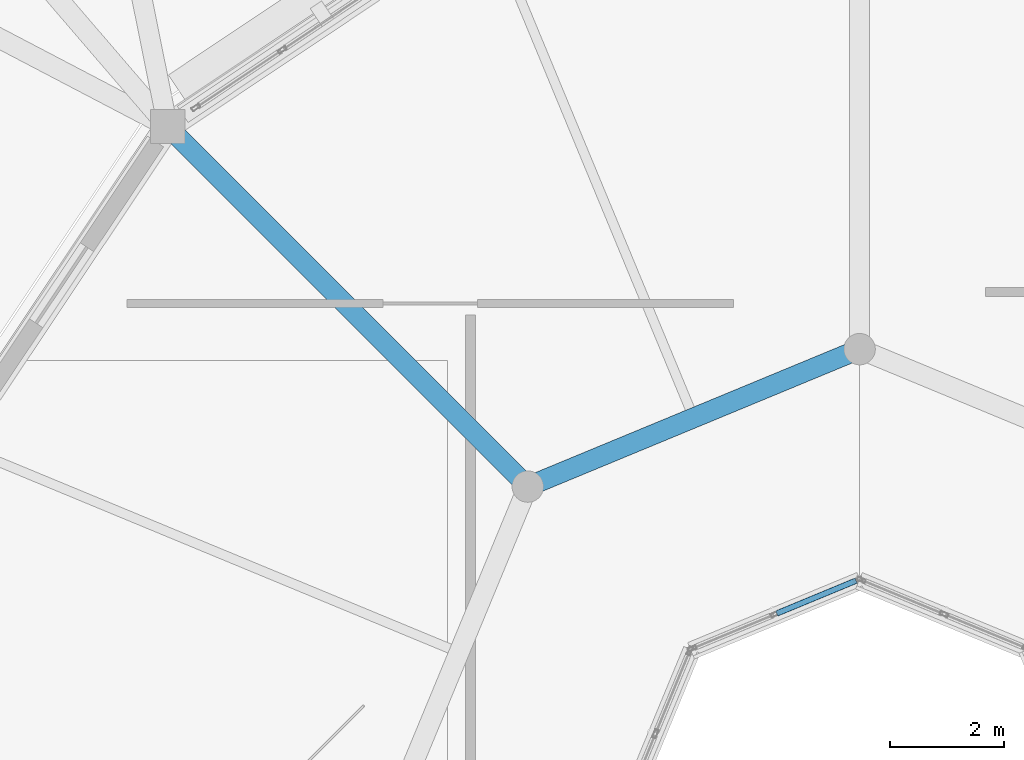
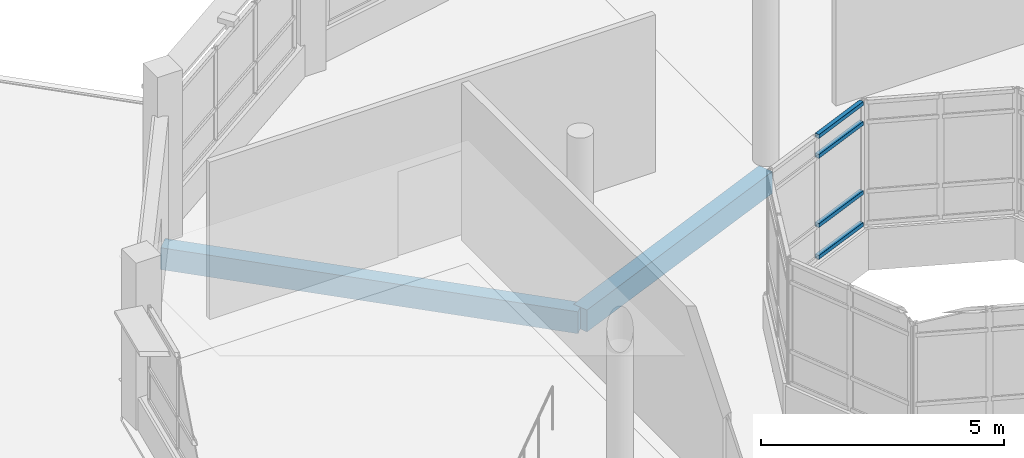
# One storey, part 81 of 128: 4 members, 2 beams, 1 element without a shape of its own.
"""IFC4 building model written with IfcOpenShell, lengths in metres."""

from ifc_helpers import new_model, si_unit, direction, frame, origin, origin_2d, place, context, subcontext, project, spatial, rectangle, hollow_rectangle, extrude, material, layer, layer_set, material_profile, profile_set, type_object, element, aggregate, save


model = new_model("IFC4")

# Units and contexts
model_context = context("Model", 3, precision=1e-05, world=origin(), true_north=direction((0.0, 1.0)))
body_context = subcontext(model_context, "Body", "Model", "MODEL_VIEW")
ifc_project = project(units=[si_unit("LENGTHUNIT", "METRE"), si_unit("AREAUNIT", "SQUARE_METRE"), si_unit("VOLUMEUNIT", "CUBIC_METRE"), si_unit("PLANEANGLEUNIT", "RADIAN"), si_unit("MASSUNIT", "GRAM", prefix="KILO")], contexts=[model_context])

# Site, building, storey
site_placement = place(None, origin())
site = spatial("IfcSite", under=ifc_project, at=site_placement, CompositionType="ELEMENT")
building_placement = place(site_placement, origin())
building = spatial("IfcBuilding", under=site, at=building_placement, Name="Vespera Passage Community Centre", CompositionType="ELEMENT")
storey_placement = place(building_placement, frame((0.0, 0.0, 4.5)))
storey = spatial("IfcBuildingStorey", under=building, at=storey_placement, Name="L01", CompositionType="ELEMENT", Elevation=4.5)

# Beams
ifc_material_1 = material(Name="Concrete f'c 35 MPa", Category="concrete")
ifc_material_profile_1 = material_profile(ifc_material_1, rectangle(XDim=0.35009765625, YDim=0.550048828125, at=origin_2d()), Name="RC350X550")
ifc_profile_set_1 = profile_set([ifc_material_profile_1], Name="Concrete f'c 35 MPa")
beam_type = type_object("IfcBeamType", Name="BM-J-350X550", PredefinedType="JOIST", material=ifc_profile_set_1)
beam_1_placement = place(storey_placement, frame((141.0, 33.199951171875, -0.514892578125), z_axis=(-0.92388740073, -0.382664436252, 0.0), x_axis=(0.382664436252, -0.92388740073, 0.0)))
element("IfcBeam", 1, at=beam_1_placement, inside=storey, type_object=beam_type, Name="V3 L01 Inner Ring Beam 3", PredefinedType="JOIST", context=body_context, shape_type="SweptSolid", body=[
    extrude(rectangle(XDim=0.35009765625, YDim=0.550048828125, at=origin_2d()), origin(), (0.0, 0.0, 1.0), 6.276123046875),
])
beam_2_placement = place(storey_placement, frame((135.20166015625, 30.79833984375, -0.514892578125), z_axis=(-0.707106781187, 0.707106781187, 0.0), x_axis=(-0.707106781187, -0.707106781187, 0.0)))
element("IfcBeam", 2, at=beam_2_placement, inside=storey, type_object=beam_type, Name="V3 L01 Radial Girder 4", PredefinedType="JOIST", context=body_context, shape_type="SweptSolid", body=[
    extrude(rectangle(XDim=0.35009765625, YDim=0.550048828125, at=origin_2d()), origin(), (0.0, 0.0, 1.0), 8.89990234375),
])

# Curtain wall, members
ifc_material_2 = material(Name="Anodized aluminium 6063-T6", Category="aluminium")
ifc_layer = layer(ifc_material_2, 0.159912109375)
ifc_layer_set = layer_set([ifc_layer], Name="Anodized aluminium 6063-T6")
curtain_wall_type = type_object("IfcCurtainWallType", Name="CW-107E", PredefinedType="NOTDEFINED", material=ifc_layer_set)
curtain_wall_placement = place(storey_placement, origin())
curtain_wall = element("IfcCurtainWall", 3, at=curtain_wall_placement, inside=storey, type_object=curtain_wall_type, Name="V3 L01 Inner Court Ribbon Curtain Wall 3", PredefinedType="NOTDEFINED")
ifc_material_3 = material(Name="Anodized aluminium 6063-T6", Category="aluminium")
ifc_material_profile_2 = material_profile(ifc_material_3, hollow_rectangle(XDim=0.10009765625, YDim=0.10009765625, WallThickness=0.00390625, InnerFilletRadius=0.001953125, OuterFilletRadius=0.00390625, at=origin_2d()), Name="ALU100X100X4")
ifc_profile_set_2 = profile_set([ifc_material_profile_2], Name="Anodized aluminium 6063-T6")
member_type = type_object("IfcMemberType", Name="MB-CWT-100E", PredefinedType="USERDEFINED", material=ifc_profile_set_2)
member_1_placement = place(storey_placement, frame((140.93994140625, 29.155029296875, 0.85009765625), z_axis=(-0.923901937079, -0.382629338474, 0.0), x_axis=(0.382629338474, -0.923901937079, 0.0)))
member_1 = element("IfcMember", 4, at=member_1_placement, type_object=member_type, Name="CW-107E transom 1.1", ObjectType="TRANSOM", PredefinedType="USERDEFINED", context=body_context, shape_type="SweptSolid", body=[
    extrude(hollow_rectangle(XDim=0.10009765625, YDim=0.10009765625, WallThickness=0.00390625, InnerFilletRadius=0.001953125, OuterFilletRadius=0.00390625, at=origin_2d()), origin(), (0.0, 0.0, 1.0), 1.501953125),
])
member_2_placement = place(storey_placement, frame((140.93994140625, 29.155029296875, 1.64990234375), z_axis=(-0.923901937079, -0.382629338474, 0.0), x_axis=(0.382629338474, -0.923901937079, 0.0)))
member_2 = element("IfcMember", 5, at=member_2_placement, type_object=member_type, Name="CW-107E transom 1.2", ObjectType="TRANSOM", PredefinedType="USERDEFINED", context=body_context, shape_type="SweptSolid", body=[
    extrude(hollow_rectangle(XDim=0.10009765625, YDim=0.10009765625, WallThickness=0.00390625, InnerFilletRadius=0.001953125, OuterFilletRadius=0.00390625, at=origin_2d()), origin(), (0.0, 0.0, 1.0), 1.501953125),
])
member_3_placement = place(storey_placement, frame((140.93994140625, 29.155029296875, 3.389892578125), z_axis=(-0.923901937079, -0.382629338474, 0.0), x_axis=(0.382629338474, -0.923901937079, 0.0)))
member_3 = element("IfcMember", 6, at=member_3_placement, type_object=member_type, Name="CW-107E transom 1.3", ObjectType="TRANSOM", PredefinedType="USERDEFINED", context=body_context, shape_type="SweptSolid", body=[
    extrude(hollow_rectangle(XDim=0.10009765625, YDim=0.10009765625, WallThickness=0.00390625, InnerFilletRadius=0.001953125, OuterFilletRadius=0.00390625, at=origin_2d()), origin(), (0.0, 0.0, 1.0), 1.501953125),
])
member_4_placement = place(storey_placement, frame((140.93994140625, 29.155029296875, 3.889892578125), z_axis=(-0.923901937079, -0.382629338474, 0.0), x_axis=(0.382629338474, -0.923901937079, 0.0)))
member_4 = element("IfcMember", 7, at=member_4_placement, type_object=member_type, Name="CW-107E transom 1.4", ObjectType="TRANSOM", PredefinedType="USERDEFINED", context=body_context, shape_type="SweptSolid", body=[
    extrude(hollow_rectangle(XDim=0.10009765625, YDim=0.10009765625, WallThickness=0.00390625, InnerFilletRadius=0.001953125, OuterFilletRadius=0.00390625, at=origin_2d()), origin(), (0.0, 0.0, 1.0), 1.501953125),
])
aggregate(curtain_wall, [member_1, member_2, member_3, member_4])

save(model, "model.ifc")
